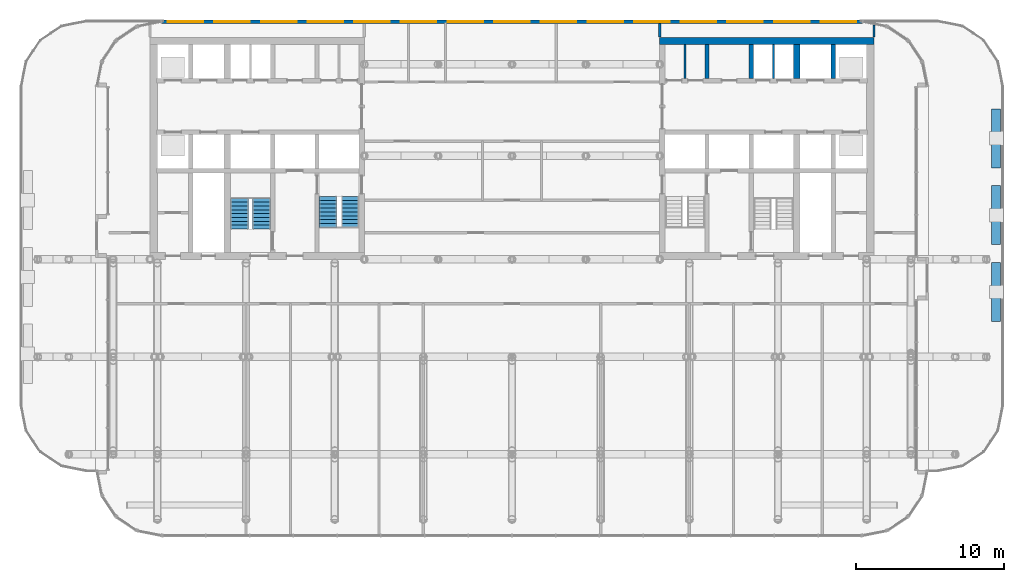
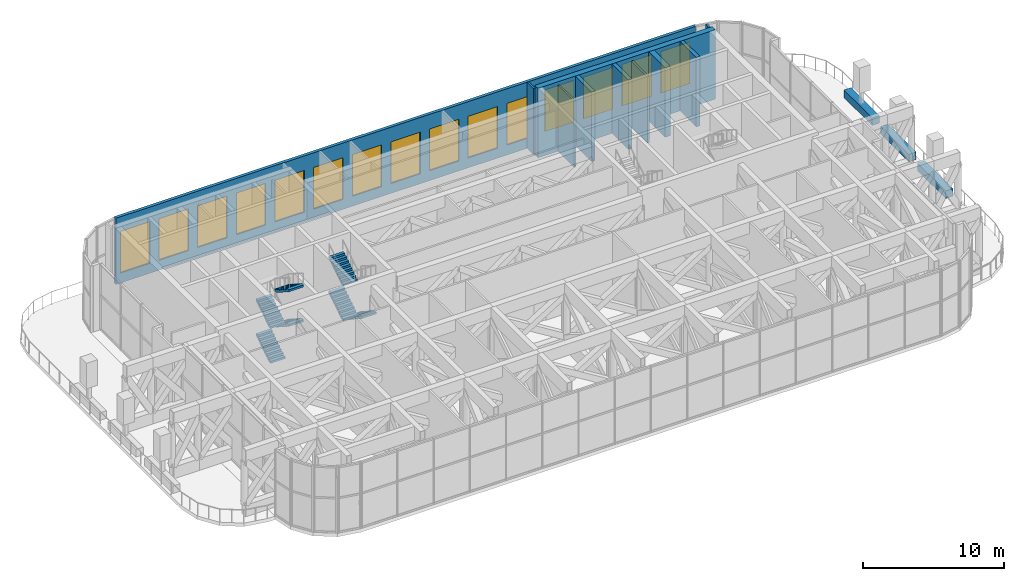
# One storey, part 20 of 25: 15 windows, 13 walls, 7 stair flights, 15 openings, 2 elements without a shape of their own.
"""IFC4 building model written with IfcOpenShell, lengths in metres."""

from ifc_helpers import new_model, si_unit, direction, frame, frame_2d, origin, place, context, subcontext, project, spatial, polyline, rectangle, outline, extrude, material, layer, layer_set, type_object, element, fill, aggregate, save


model = new_model("IFC4")

# Units and contexts
model_context = context("Model", 3, precision=1e-05, world=origin(), true_north=direction((0.0, 1.0)))
body_context = subcontext(model_context, "Body", "Model", "MODEL_VIEW")
ifc_project = project(units=[si_unit("LENGTHUNIT", "METRE"), si_unit("AREAUNIT", "SQUARE_METRE"), si_unit("VOLUMEUNIT", "CUBIC_METRE"), si_unit("PLANEANGLEUNIT", "RADIAN"), si_unit("MASSUNIT", "GRAM", prefix="KILO")], contexts=[model_context])

# Site, building, storey
site_placement = place(None, origin())
site = spatial("IfcSite", under=ifc_project, at=site_placement, CompositionType="ELEMENT")
building_placement = place(site_placement, origin())
building = spatial("IfcBuilding", under=site, at=building_placement, Name="Torana Hotel and Residences", CompositionType="ELEMENT")
storey_placement = place(building_placement, frame((0.0, 0.0, 106.800048828125)))
storey = spatial("IfcBuildingStorey", under=building, at=storey_placement, Name="L27", CompositionType="ELEMENT", Elevation=106.800048828125)

# Walls
ifc_material_1 = material(Name="Concrete C70/85", Category="concrete")
ifc_layer_1 = layer(ifc_material_1, 0.300048828125)
ifc_layer_set_1 = layer_set([ifc_layer_1], Name="CORE WALL 300 C70/85")
wall_type_1 = type_object("IfcWallType", Name="CORE WALL 300 C70/85", PredefinedType="SHEAR", material=ifc_layer_set_1)
for number, where, z_axis, x_axis, name in (
    (1, (13.199951171875, -2.75, 0.0), (0.0, 0.0, 1.0), (0.0, 1.0, 0.0), "Core wall E x3.05-N"),
    (2, (16.199951171875, -2.75, 0.0), (0.0, 0.0, 1.0), (0.0, 1.0, 0.0), "Core wall E x6.05-N"),
    (3, (21.75, -2.75, 0.0), (0.0, 0.0, 1.0), (0.0, 1.0, 0.0), "Core wall E mm-N"),
):
    element("IfcWall", number, at=place(storey_placement, frame(where, z_axis=z_axis, x_axis=x_axis)), inside=storey, type_object=wall_type_1, Name=name, PredefinedType="SHEAR", context=body_context, shape_type="SweptSolid", body=[
        extrude(rectangle(XDim=2.300048828125, YDim=0.300048828125, at=frame_2d((1.14990234375, 0.0))), origin(), (0.0, 0.0, 1.0), 6.0),
    ])
ifc_material_2 = material(Name="Concrete C70/85", Category="concrete")
ifc_layer_2 = layer(ifc_material_2, 0.449951171875)
ifc_layer_set_2 = layer_set([ifc_layer_2], Name="CORE WALL 450 C70/85")
wall_type_2 = type_object("IfcWallType", Name="CORE WALL 450 C70/85", PredefinedType="SHEAR", material=ifc_layer_set_2)
wall_1_placement = place(storey_placement, frame((10.0, -0.22509765625, 0.0), z_axis=(0.0, 0.0, 1.0), x_axis=(1.0, 0.0, 0.0)))
element("IfcWall", 4, at=wall_1_placement, inside=storey, type_object=wall_type_2, Name="Core wall E rear", PredefinedType="SHEAR", context=body_context, shape_type="SweptSolid", body=[
    extrude(rectangle(XDim=14.5, YDim=0.449951171875, at=frame_2d((7.25, 0.0))), origin(), (0.0, 0.0, 1.0), 6.0),
])
wall_2_placement = place(storey_placement, frame((19.27490234375, -2.75, 0.0), z_axis=(0.0, 0.0, 1.0), x_axis=(0.0, 1.0, 0.0)))
element("IfcWall", 5, at=wall_2_placement, inside=storey, type_object=wall_type_2, Name="Core wall E hm-N", PredefinedType="SHEAR", context=body_context, shape_type="SweptSolid", body=[
    extrude(rectangle(XDim=2.300048828125, YDim=0.449951171875, at=frame_2d((1.14990234375, 0.0))), origin(), (0.0, 0.0, 1.0), 6.0),
])

# Wall, openings, windows
ifc_material_3 = material(Name="Aluminium louvre wall", Category="aluminium")
ifc_layer_3 = layer(ifc_material_3, 0.25)
ifc_layer_set_3 = layer_set([ifc_layer_3], Name="EW3 LOUVRE WALL 250")
wall_type_3 = type_object("IfcWallType", Name="EW3 LOUVRE WALL 250", PredefinedType="SOLIDWALL", material=ifc_layer_set_3)
wall_3_placement = place(storey_placement, frame((23.67529296875, 1.074951171875, 0.0), z_axis=(0.0, 0.0, 1.0), x_axis=(-1.0, 0.0, 0.0)))
wall_3 = element("IfcWall", 6, at=wall_3_placement, inside=storey, type_object=wall_type_3, Name="Louvre wall L27 e0.4", PredefinedType="SOLIDWALL", context=body_context, shape_type="SweptSolid", body=[
    extrude(rectangle(XDim=47.3505859375, YDim=0.25, at=frame_2d((23.67529296875, 0.0))), origin(), (0.0, 0.0, 1.0), 5.719970703125),
])
opening_1_placement = place(wall_3_placement, frame((0.37841796875, 0.0, 0.85791015625)))
opening_1 = element("IfcOpeningElement", 7, at=opening_1_placement, cuts=wall_3, Name="Opening LV2", PredefinedType="OPENING", context=body_context, shape_type="SweptSolid", body=[
    extrude(rectangle(XDim=2.39990234375, YDim=3.60009765625, at=frame_2d((1.199951171875, 1.800048828125))), frame((0.0, 0.135009765625, 0.0), z_axis=(0.0, -1.0, 0.0), x_axis=(1.0, 0.0, 0.0)), (0.0, 0.0, 1.0), 0.27001953125),
])
opening_2_placement = place(wall_3_placement, frame((3.53515625, 0.0, 0.85791015625)))
opening_2 = element("IfcOpeningElement", 8, at=opening_2_placement, cuts=wall_3, Name="Opening LV2", PredefinedType="OPENING", context=body_context, shape_type="SweptSolid", body=[
    extrude(rectangle(XDim=2.39990234375, YDim=3.60009765625, at=frame_2d((1.199951171875, 1.800048828125))), frame((0.0, 0.135009765625, 0.0), z_axis=(0.0, -1.0, 0.0), x_axis=(1.0, 0.0, 0.0)), (0.0, 0.0, 1.0), 0.27001953125),
])
opening_3_placement = place(wall_3_placement, frame((6.69189453125, 0.0, 0.85791015625)))
opening_3 = element("IfcOpeningElement", 9, at=opening_3_placement, cuts=wall_3, Name="Opening LV2", PredefinedType="OPENING", context=body_context, shape_type="SweptSolid", body=[
    extrude(rectangle(XDim=2.39990234375, YDim=3.60009765625, at=frame_2d((1.199951171875, 1.800048828125))), frame((0.0, 0.135009765625, 0.0), z_axis=(0.0, -1.0, 0.0), x_axis=(1.0, 0.0, 0.0)), (0.0, 0.0, 1.0), 0.27001953125),
])
opening_4_placement = place(wall_3_placement, frame((9.848388671875, 0.0, 0.85791015625)))
opening_4 = element("IfcOpeningElement", 10, at=opening_4_placement, cuts=wall_3, Name="Opening LV2", PredefinedType="OPENING", context=body_context, shape_type="SweptSolid", body=[
    extrude(rectangle(XDim=2.39990234375, YDim=3.60009765625, at=frame_2d((1.199951171875, 1.800048828125))), frame((0.0, 0.135009765625, 0.0), z_axis=(0.0, -1.0, 0.0), x_axis=(1.0, 0.0, 0.0)), (0.0, 0.0, 1.0), 0.27001953125),
])
opening_5_placement = place(wall_3_placement, frame((13.005126953125, 0.0, 0.85791015625)))
opening_5 = element("IfcOpeningElement", 11, at=opening_5_placement, cuts=wall_3, Name="Opening LV2", PredefinedType="OPENING", context=body_context, shape_type="SweptSolid", body=[
    extrude(rectangle(XDim=2.39990234375, YDim=3.60009765625, at=frame_2d((1.199951171875, 1.800048828125))), frame((0.0, 0.135009765625, 0.0), z_axis=(0.0, -1.0, 0.0), x_axis=(1.0, 0.0, 0.0)), (0.0, 0.0, 1.0), 0.27001953125),
])
opening_6_placement = place(wall_3_placement, frame((16.161865234375, 0.0, 0.85791015625)))
opening_6 = element("IfcOpeningElement", 12, at=opening_6_placement, cuts=wall_3, Name="Opening LV2", PredefinedType="OPENING", context=body_context, shape_type="SweptSolid", body=[
    extrude(rectangle(XDim=2.39990234375, YDim=3.60009765625, at=frame_2d((1.199951171875, 1.800048828125))), frame((0.0, 0.135009765625, 0.0), z_axis=(0.0, -1.0, 0.0), x_axis=(1.0, 0.0, 0.0)), (0.0, 0.0, 1.0), 0.27001953125),
])
opening_7_placement = place(wall_3_placement, frame((19.318603515625, 0.0, 0.85791015625)))
opening_7 = element("IfcOpeningElement", 13, at=opening_7_placement, cuts=wall_3, Name="Opening LV2", PredefinedType="OPENING", context=body_context, shape_type="SweptSolid", body=[
    extrude(rectangle(XDim=2.39990234375, YDim=3.60009765625, at=frame_2d((1.199951171875, 1.800048828125))), frame((0.0, 0.135009765625, 0.0), z_axis=(0.0, -1.0, 0.0), x_axis=(1.0, 0.0, 0.0)), (0.0, 0.0, 1.0), 0.27001953125),
])
opening_8_placement = place(wall_3_placement, frame((22.475341796875, 0.0, 0.85791015625)))
opening_8 = element("IfcOpeningElement", 14, at=opening_8_placement, cuts=wall_3, Name="Opening LV2", PredefinedType="OPENING", context=body_context, shape_type="SweptSolid", body=[
    extrude(rectangle(XDim=2.39990234375, YDim=3.60009765625, at=frame_2d((1.199951171875, 1.800048828125))), frame((0.0, 0.135009765625, 0.0), z_axis=(0.0, -1.0, 0.0), x_axis=(1.0, 0.0, 0.0)), (0.0, 0.0, 1.0), 0.27001953125),
])
opening_9_placement = place(wall_3_placement, frame((25.632080078125, 0.0, 0.85791015625)))
opening_9 = element("IfcOpeningElement", 15, at=opening_9_placement, cuts=wall_3, Name="Opening LV2", PredefinedType="OPENING", context=body_context, shape_type="SweptSolid", body=[
    extrude(rectangle(XDim=2.39990234375, YDim=3.60009765625, at=frame_2d((1.199951171875, 1.800048828125))), frame((0.0, 0.135009765625, 0.0), z_axis=(0.0, -1.0, 0.0), x_axis=(1.0, 0.0, 0.0)), (0.0, 0.0, 1.0), 0.27001953125),
])
opening_10_placement = place(wall_3_placement, frame((28.788818359375, 0.0, 0.85791015625)))
opening_10 = element("IfcOpeningElement", 16, at=opening_10_placement, cuts=wall_3, Name="Opening LV2", PredefinedType="OPENING", context=body_context, shape_type="SweptSolid", body=[
    extrude(rectangle(XDim=2.39990234375, YDim=3.60009765625, at=frame_2d((1.199951171875, 1.800048828125))), frame((0.0, 0.135009765625, 0.0), z_axis=(0.0, -1.0, 0.0), x_axis=(1.0, 0.0, 0.0)), (0.0, 0.0, 1.0), 0.27001953125),
])
opening_11_placement = place(wall_3_placement, frame((31.945556640625, 0.0, 0.85791015625)))
opening_11 = element("IfcOpeningElement", 17, at=opening_11_placement, cuts=wall_3, Name="Opening LV2", PredefinedType="OPENING", context=body_context, shape_type="SweptSolid", body=[
    extrude(rectangle(XDim=2.39990234375, YDim=3.60009765625, at=frame_2d((1.199951171875, 1.800048828125))), frame((0.0, 0.135009765625, 0.0), z_axis=(0.0, -1.0, 0.0), x_axis=(1.0, 0.0, 0.0)), (0.0, 0.0, 1.0), 0.27001953125),
])
opening_12_placement = place(wall_3_placement, frame((35.102294921875, 0.0, 0.85791015625)))
opening_12 = element("IfcOpeningElement", 18, at=opening_12_placement, cuts=wall_3, Name="Opening LV2", PredefinedType="OPENING", context=body_context, shape_type="SweptSolid", body=[
    extrude(rectangle(XDim=2.39990234375, YDim=3.60009765625, at=frame_2d((1.199951171875, 1.800048828125))), frame((0.0, 0.135009765625, 0.0), z_axis=(0.0, -1.0, 0.0), x_axis=(1.0, 0.0, 0.0)), (0.0, 0.0, 1.0), 0.27001953125),
])
opening_13_placement = place(wall_3_placement, frame((38.259033203125, 0.0, 0.85791015625)))
opening_13 = element("IfcOpeningElement", 19, at=opening_13_placement, cuts=wall_3, Name="Opening LV2", PredefinedType="OPENING", context=body_context, shape_type="SweptSolid", body=[
    extrude(rectangle(XDim=2.39990234375, YDim=3.60009765625, at=frame_2d((1.199951171875, 1.800048828125))), frame((0.0, 0.135009765625, 0.0), z_axis=(0.0, -1.0, 0.0), x_axis=(1.0, 0.0, 0.0)), (0.0, 0.0, 1.0), 0.27001953125),
])
opening_14_placement = place(wall_3_placement, frame((41.415771484375, 0.0, 0.85791015625)))
opening_14 = element("IfcOpeningElement", 20, at=opening_14_placement, cuts=wall_3, Name="Opening LV2", PredefinedType="OPENING", context=body_context, shape_type="SweptSolid", body=[
    extrude(rectangle(XDim=2.39990234375, YDim=3.60009765625, at=frame_2d((1.199951171875, 1.800048828125))), frame((0.0, 0.135009765625, 0.0), z_axis=(0.0, -1.0, 0.0), x_axis=(1.0, 0.0, 0.0)), (0.0, 0.0, 1.0), 0.27001953125),
])
opening_15_placement = place(wall_3_placement, frame((44.572509765625, 0.0, 0.85791015625)))
opening_15 = element("IfcOpeningElement", 21, at=opening_15_placement, cuts=wall_3, Name="Opening LV2", PredefinedType="OPENING", context=body_context, shape_type="SweptSolid", body=[
    extrude(rectangle(XDim=2.39990234375, YDim=3.60009765625, at=frame_2d((1.199951171875, 1.800048828125))), frame((0.0, 0.135009765625, 0.0), z_axis=(0.0, -1.0, 0.0), x_axis=(1.0, 0.0, 0.0)), (0.0, 0.0, 1.0), 0.27001953125),
])
ifc_material_4 = material(Name="Aluminium louvre blades", Category="aluminium")
window_type = type_object("IfcWindowType", Name="LV2 LOUVRE 2400x3600", PartitioningType="SINGLE_PANEL", PredefinedType="USERDEFINED", material=ifc_material_4)
window_1_placement = place(opening_1_placement, origin())
window_1 = element("IfcWindow", 22, at=window_1_placement, inside=storey, type_object=window_type, Name="Louvre L27", ObjectType="LOUVRE", OverallHeight=3.60009765625, OverallWidth=2.39990234375, PartitioningType="SINGLE_PANEL", PredefinedType="USERDEFINED", context=body_context, shape_type="SweptSolid", body=[
    extrude(rectangle(XDim=2.39990234375, YDim=3.60009765625, at=frame_2d((1.199951171875, 1.800048828125))), frame((0.0, 0.030029296875, 0.0), z_axis=(0.0, -1.0, 0.0), x_axis=(1.0, 0.0, 0.0)), (0.0, 0.0, 1.0), 0.06005859375),
])
fill(opening_1, window_1)
window_2_placement = place(opening_2_placement, origin())
window_2 = element("IfcWindow", 23, at=window_2_placement, inside=storey, type_object=window_type, Name="Louvre L27", ObjectType="LOUVRE", OverallHeight=3.60009765625, OverallWidth=2.39990234375, PartitioningType="SINGLE_PANEL", PredefinedType="USERDEFINED", context=body_context, shape_type="SweptSolid", body=[
    extrude(rectangle(XDim=2.39990234375, YDim=3.60009765625, at=frame_2d((1.199951171875, 1.800048828125))), frame((0.0, 0.030029296875, 0.0), z_axis=(0.0, -1.0, 0.0), x_axis=(1.0, 0.0, 0.0)), (0.0, 0.0, 1.0), 0.06005859375),
])
fill(opening_2, window_2)
window_3_placement = place(opening_3_placement, origin())
window_3 = element("IfcWindow", 24, at=window_3_placement, inside=storey, type_object=window_type, Name="Louvre L27", ObjectType="LOUVRE", OverallHeight=3.60009765625, OverallWidth=2.39990234375, PartitioningType="SINGLE_PANEL", PredefinedType="USERDEFINED", context=body_context, shape_type="SweptSolid", body=[
    extrude(rectangle(XDim=2.39990234375, YDim=3.60009765625, at=frame_2d((1.199951171875, 1.800048828125))), frame((0.0, 0.030029296875, 0.0), z_axis=(0.0, -1.0, 0.0), x_axis=(1.0, 0.0, 0.0)), (0.0, 0.0, 1.0), 0.06005859375),
])
fill(opening_3, window_3)
window_4_placement = place(opening_4_placement, origin())
window_4 = element("IfcWindow", 25, at=window_4_placement, inside=storey, type_object=window_type, Name="Louvre L27", ObjectType="LOUVRE", OverallHeight=3.60009765625, OverallWidth=2.39990234375, PartitioningType="SINGLE_PANEL", PredefinedType="USERDEFINED", context=body_context, shape_type="SweptSolid", body=[
    extrude(rectangle(XDim=2.39990234375, YDim=3.60009765625, at=frame_2d((1.199951171875, 1.800048828125))), frame((0.0, 0.030029296875, 0.0), z_axis=(0.0, -1.0, 0.0), x_axis=(1.0, 0.0, 0.0)), (0.0, 0.0, 1.0), 0.06005859375),
])
fill(opening_4, window_4)
window_5_placement = place(opening_5_placement, origin())
window_5 = element("IfcWindow", 26, at=window_5_placement, inside=storey, type_object=window_type, Name="Louvre L27", ObjectType="LOUVRE", OverallHeight=3.60009765625, OverallWidth=2.39990234375, PartitioningType="SINGLE_PANEL", PredefinedType="USERDEFINED", context=body_context, shape_type="SweptSolid", body=[
    extrude(rectangle(XDim=2.39990234375, YDim=3.60009765625, at=frame_2d((1.199951171875, 1.800048828125))), frame((0.0, 0.030029296875, 0.0), z_axis=(0.0, -1.0, 0.0), x_axis=(1.0, 0.0, 0.0)), (0.0, 0.0, 1.0), 0.06005859375),
])
fill(opening_5, window_5)
window_6_placement = place(opening_6_placement, origin())
window_6 = element("IfcWindow", 27, at=window_6_placement, inside=storey, type_object=window_type, Name="Louvre L27", ObjectType="LOUVRE", OverallHeight=3.60009765625, OverallWidth=2.39990234375, PartitioningType="SINGLE_PANEL", PredefinedType="USERDEFINED", context=body_context, shape_type="SweptSolid", body=[
    extrude(rectangle(XDim=2.39990234375, YDim=3.60009765625, at=frame_2d((1.199951171875, 1.800048828125))), frame((0.0, 0.030029296875, 0.0), z_axis=(0.0, -1.0, 0.0), x_axis=(1.0, 0.0, 0.0)), (0.0, 0.0, 1.0), 0.06005859375),
])
fill(opening_6, window_6)
window_7_placement = place(opening_7_placement, origin())
window_7 = element("IfcWindow", 28, at=window_7_placement, inside=storey, type_object=window_type, Name="Louvre L27", ObjectType="LOUVRE", OverallHeight=3.60009765625, OverallWidth=2.39990234375, PartitioningType="SINGLE_PANEL", PredefinedType="USERDEFINED", context=body_context, shape_type="SweptSolid", body=[
    extrude(rectangle(XDim=2.39990234375, YDim=3.60009765625, at=frame_2d((1.199951171875, 1.800048828125))), frame((0.0, 0.030029296875, 0.0), z_axis=(0.0, -1.0, 0.0), x_axis=(1.0, 0.0, 0.0)), (0.0, 0.0, 1.0), 0.06005859375),
])
fill(opening_7, window_7)
window_8_placement = place(opening_8_placement, origin())
window_8 = element("IfcWindow", 29, at=window_8_placement, inside=storey, type_object=window_type, Name="Louvre L27", ObjectType="LOUVRE", OverallHeight=3.60009765625, OverallWidth=2.39990234375, PartitioningType="SINGLE_PANEL", PredefinedType="USERDEFINED", context=body_context, shape_type="SweptSolid", body=[
    extrude(rectangle(XDim=2.39990234375, YDim=3.60009765625, at=frame_2d((1.199951171875, 1.800048828125))), frame((0.0, 0.030029296875, 0.0), z_axis=(0.0, -1.0, 0.0), x_axis=(1.0, 0.0, 0.0)), (0.0, 0.0, 1.0), 0.06005859375),
])
fill(opening_8, window_8)
window_9_placement = place(opening_9_placement, origin())
window_9 = element("IfcWindow", 30, at=window_9_placement, inside=storey, type_object=window_type, Name="Louvre L27", ObjectType="LOUVRE", OverallHeight=3.60009765625, OverallWidth=2.39990234375, PartitioningType="SINGLE_PANEL", PredefinedType="USERDEFINED", context=body_context, shape_type="SweptSolid", body=[
    extrude(rectangle(XDim=2.39990234375, YDim=3.60009765625, at=frame_2d((1.199951171875, 1.800048828125))), frame((0.0, 0.030029296875, 0.0), z_axis=(0.0, -1.0, 0.0), x_axis=(1.0, 0.0, 0.0)), (0.0, 0.0, 1.0), 0.06005859375),
])
fill(opening_9, window_9)
window_10_placement = place(opening_10_placement, origin())
window_10 = element("IfcWindow", 31, at=window_10_placement, inside=storey, type_object=window_type, Name="Louvre L27", ObjectType="LOUVRE", OverallHeight=3.60009765625, OverallWidth=2.39990234375, PartitioningType="SINGLE_PANEL", PredefinedType="USERDEFINED", context=body_context, shape_type="SweptSolid", body=[
    extrude(rectangle(XDim=2.39990234375, YDim=3.60009765625, at=frame_2d((1.199951171875, 1.800048828125))), frame((0.0, 0.030029296875, 0.0), z_axis=(0.0, -1.0, 0.0), x_axis=(1.0, 0.0, 0.0)), (0.0, 0.0, 1.0), 0.06005859375),
])
fill(opening_10, window_10)
window_11_placement = place(opening_11_placement, origin())
window_11 = element("IfcWindow", 32, at=window_11_placement, inside=storey, type_object=window_type, Name="Louvre L27", ObjectType="LOUVRE", OverallHeight=3.60009765625, OverallWidth=2.39990234375, PartitioningType="SINGLE_PANEL", PredefinedType="USERDEFINED", context=body_context, shape_type="SweptSolid", body=[
    extrude(rectangle(XDim=2.39990234375, YDim=3.60009765625, at=frame_2d((1.199951171875, 1.800048828125))), frame((0.0, 0.030029296875, 0.0), z_axis=(0.0, -1.0, 0.0), x_axis=(1.0, 0.0, 0.0)), (0.0, 0.0, 1.0), 0.06005859375),
])
fill(opening_11, window_11)
window_12_placement = place(opening_12_placement, origin())
window_12 = element("IfcWindow", 33, at=window_12_placement, inside=storey, type_object=window_type, Name="Louvre L27", ObjectType="LOUVRE", OverallHeight=3.60009765625, OverallWidth=2.39990234375, PartitioningType="SINGLE_PANEL", PredefinedType="USERDEFINED", context=body_context, shape_type="SweptSolid", body=[
    extrude(rectangle(XDim=2.39990234375, YDim=3.60009765625, at=frame_2d((1.199951171875, 1.800048828125))), frame((0.0, 0.030029296875, 0.0), z_axis=(0.0, -1.0, 0.0), x_axis=(1.0, 0.0, 0.0)), (0.0, 0.0, 1.0), 0.06005859375),
])
fill(opening_12, window_12)
window_13_placement = place(opening_13_placement, origin())
window_13 = element("IfcWindow", 34, at=window_13_placement, inside=storey, type_object=window_type, Name="Louvre L27", ObjectType="LOUVRE", OverallHeight=3.60009765625, OverallWidth=2.39990234375, PartitioningType="SINGLE_PANEL", PredefinedType="USERDEFINED", context=body_context, shape_type="SweptSolid", body=[
    extrude(rectangle(XDim=2.39990234375, YDim=3.60009765625, at=frame_2d((1.199951171875, 1.800048828125))), frame((0.0, 0.030029296875, 0.0), z_axis=(0.0, -1.0, 0.0), x_axis=(1.0, 0.0, 0.0)), (0.0, 0.0, 1.0), 0.06005859375),
])
fill(opening_13, window_13)
window_14_placement = place(opening_14_placement, origin())
window_14 = element("IfcWindow", 35, at=window_14_placement, inside=storey, type_object=window_type, Name="Louvre L27", ObjectType="LOUVRE", OverallHeight=3.60009765625, OverallWidth=2.39990234375, PartitioningType="SINGLE_PANEL", PredefinedType="USERDEFINED", context=body_context, shape_type="SweptSolid", body=[
    extrude(rectangle(XDim=2.39990234375, YDim=3.60009765625, at=frame_2d((1.199951171875, 1.800048828125))), frame((0.0, 0.030029296875, 0.0), z_axis=(0.0, -1.0, 0.0), x_axis=(1.0, 0.0, 0.0)), (0.0, 0.0, 1.0), 0.06005859375),
])
fill(opening_14, window_14)
window_15_placement = place(opening_15_placement, origin())
window_15 = element("IfcWindow", 36, at=window_15_placement, inside=storey, type_object=window_type, Name="Louvre L27", ObjectType="LOUVRE", OverallHeight=3.60009765625, OverallWidth=2.39990234375, PartitioningType="SINGLE_PANEL", PredefinedType="USERDEFINED", context=body_context, shape_type="SweptSolid", body=[
    extrude(rectangle(XDim=2.39990234375, YDim=3.60009765625, at=frame_2d((1.199951171875, 1.800048828125))), frame((0.0, 0.030029296875, 0.0), z_axis=(0.0, -1.0, 0.0), x_axis=(1.0, 0.0, 0.0)), (0.0, 0.0, 1.0), 0.06005859375),
])
fill(opening_15, window_15)

# Walls
ifc_material_5 = material(Name="Gypsum plaster")
ifc_layer_4 = layer(ifc_material_5, 0.014892578125, Name="Plaster", Category="finish")
ifc_material_6 = material(Name="Concrete blockwork", Category="masonry")
ifc_layer_5 = layer(ifc_material_6, 0.1201171875, Name="Blockwork", Category="structure")
ifc_layer_6 = layer(ifc_material_5, 0.014892578125, Name="Plaster", Category="finish")
ifc_layer_set_4 = layer_set([ifc_layer_4, ifc_layer_5, ifc_layer_6], Name="FIRE PARTITION 150 BLOCKWORK")
wall_type_4 = type_object("IfcWallType", Name="FIRE PARTITION 150 BLOCKWORK", PredefinedType="PARTITIONING", material=ifc_layer_set_4)
for number, where, z_axis, x_axis, name in (
    (37, (17.699951171875, -2.75, 0.0), (0.0, 0.0, 1.0), (0.0, 1.0, 0.0), "Core partition L27"),
    (38, (11.699951171875, -2.75, 0.0), (0.0, 0.0, 1.0), (0.0, 1.0, 0.0), "Core partition L27"),
):
    element("IfcWall", number, at=place(storey_placement, frame(where, z_axis=z_axis, x_axis=x_axis)), inside=storey, type_object=wall_type_4, Name=name, PredefinedType="PARTITIONING", context=body_context, shape_type="SweptSolid", body=[
        extrude(rectangle(XDim=2.300048828125, YDim=0.14990234375, at=frame_2d((1.14990234375, 0.0))), origin(), (0.0, 0.0, 1.0), 5.699951171875),
    ])
ifc_material_7 = material(Name="Gypsum plasterboard")
ifc_layer_7 = layer(ifc_material_7, 0.012451171875, Name="Plasterboard", Category="finish")
ifc_layer_8 = layer(ifc_material_7, 0.012451171875, Name="Plasterboard", Category="finish")
ifc_material_8 = material(Name="Steel S280GD", Category="steel")
ifc_layer_9 = layer(ifc_material_8, 0.10009765625, Name="Steel studs with mineral wool", Category="insulation")
ifc_layer_10 = layer(ifc_material_7, 0.012451171875, Name="Plasterboard", Category="finish")
ifc_layer_11 = layer(ifc_material_7, 0.012451171875, Name="Plasterboard", Category="finish")
ifc_layer_set_5 = layer_set([ifc_layer_7, ifc_layer_8, ifc_layer_9, ifc_layer_10, ifc_layer_11], Name="PARTITION 150 PLASTERBOARD")
wall_type_5 = type_object("IfcWallType", Name="PARTITION 150 PLASTERBOARD", PredefinedType="PARTITIONING", material=ifc_layer_set_5)
wall_4_placement = place(storey_placement, frame((24.5, 0.050048828125, 0.0), z_axis=(0.0, 0.0, 1.0), x_axis=(0.0, 1.0, 0.0)))
element("IfcWall", 39, at=wall_4_placement, inside=storey, type_object=wall_type_5, Name="Partition L27", PredefinedType="PARTITIONING", context=body_context, shape_type="SweptSolid", body=[
    extrude(rectangle(XDim=0.807373046875, YDim=0.14990234375, at=frame_2d((0.40380859375, 0.0))), origin(), (0.0, 0.0, 1.0), 5.699951171875),
])
wall_5_placement = place(storey_placement, frame((10.0, 0.050048828125, 0.0), z_axis=(0.0, 0.0, 1.0), x_axis=(0.0, 1.0, 0.0)))
element("IfcWall", 40, at=wall_5_placement, inside=storey, type_object=wall_type_5, Name="Partition L27", PredefinedType="PARTITIONING", context=body_context, shape_type="SweptSolid", body=[
    extrude(rectangle(XDim=0.909912109375, YDim=0.14990234375, at=frame_2d((0.455078125, 0.0))), origin(), (0.0, 0.0, 1.0), 5.699951171875),
])
ifc_material_9 = material(Name="Concrete C40/50 precast", Category="concrete")
ifc_layer_12 = layer(ifc_material_9, 0.10009765625, Name="Planter shell", Category="structure")
ifc_material_10 = material(Name="Root resistant membrane")
ifc_layer_13 = layer(ifc_material_10, 0.00390625, Name="Waterproofing membrane", Category="membrane")
ifc_material_11 = material(Name="Drainage board with filter fleece")
ifc_layer_14 = layer(ifc_material_11, 0.02001953125, Name="Drainage board", Category="drainage")
ifc_material_12 = material(Name="Growing medium")
ifc_layer_15 = layer(ifc_material_12, 0.47607421875, Name="Planting substrate", Category="soil")
ifc_layer_set_6 = layer_set([ifc_layer_12, ifc_layer_13, ifc_layer_14, ifc_layer_15], Name="PL1 BALCONY PLANTER 600")
wall_type_6 = type_object("IfcWallType", Name="PL1 BALCONY PLANTER 600", PredefinedType="USERDEFINED", material=ifc_layer_set_6)
for number, where, z_axis, x_axis, name in (
    (41, (32.77001953125, -4.807861328125, 0.0), (0.0, 0.0, 1.0), (0.0, -1.0, 0.0), "Planter L27 1.1"),
    (42, (32.77001953125, -10.0078125, 0.0), (0.0, 0.0, 1.0), (0.0, -1.0, 0.0), "Planter L27 1.2"),
    (43, (32.77001953125, -15.2080078125, 0.0), (0.0, 0.0, 1.0), (0.0, -1.0, 0.0), "Planter L27 1.3"),
):
    element("IfcWall", number, at=place(storey_placement, frame(where, z_axis=z_axis, x_axis=x_axis)), inside=storey, type_object=wall_type_6, Name=name, ObjectType="PLANTER", PredefinedType="USERDEFINED", context=body_context, shape_type="SweptSolid", body=[
        extrude(rectangle(XDim=4.0, YDim=0.60009765625, at=frame_2d((2.0, 0.0))), origin(), (0.0, 0.0, 1.0), 0.64990234375),
    ])

# Stair, stair flights
ifc_material_13 = material(Name="Concrete C40/50 precast", Category="concrete")
stair_type_1 = type_object("IfcStairType", Name="STAIR ST1 HALF TURN 1200", PredefinedType="HALF_TURN_STAIR", material=ifc_material_13)
stair_1_placement = place(storey_placement, origin())
stair_1 = element("IfcStair", 44, at=stair_1_placement, inside=storey, type_object=stair_type_1, Name="Stair ST1 L27", PredefinedType="HALF_TURN_STAIR")
ifc_material_14 = material(Name="Concrete C40/50 precast", Category="concrete")
stair_flight_type = type_object("IfcStairFlightType", Name="STAIR FLIGHT 1200 PRECAST", PredefinedType="STRAIGHT", material=ifc_material_14)
stair_flight_1_placement = place(storey_placement, frame((-10.949951171875, -10.75, 0.0), z_axis=(0.0, 0.0, 1.0), x_axis=(0.0, -1.0, 0.0)))
stair_flight_1 = element("IfcStairFlight", 45, at=stair_flight_1_placement, type_object=stair_flight_type, Name="ST1 flight 1", NumberOfRisers=9, NumberOfTreads=8, PredefinedType="STRAIGHT", RiserHeight=0.166666667, TreadLength=0.26, context=body_context, shape_type="SweptSolid", body=[
    extrude(outline(polyline([(0.0, 0.0), (0.0, 0.166748046875), (0.260009765625, 0.166748046875), (0.260009765625, 0.333251953125), (0.52001953125, 0.333251953125), (0.52001953125, 0.5), (0.780029296875, 0.5), (0.780029296875, 0.666748046875), (1.0400390625, 0.666748046875), (1.0400390625, 0.833251953125), (1.300048828125, 0.833251953125), (1.300048828125, 1.0), (1.56005859375, 1.0), (1.56005859375, 1.166748046875), (1.820068359375, 1.166748046875), (1.820068359375, 1.333251953125), (2.080078125, 1.333251953125), (2.080078125, 1.5), (2.080078125, 1.1552734375), (0.27783203125, 0.0), (0.0, 0.0)])), frame((0.0, 0.60009765625, 0.0), z_axis=(0.0, -1.0, 0.0), x_axis=(1.0, 0.0, 0.0)), (0.0, 0.0, 1.0), 1.199951171875),
])
stair_flight_2_placement = place(storey_placement, frame((-12.449951171875, -12.830078125, 1.5), z_axis=(0.0, 0.0, 1.0), x_axis=(0.0, 1.0, 0.0)))
stair_flight_2 = element("IfcStairFlight", 46, at=stair_flight_2_placement, type_object=stair_flight_type, Name="ST1 flight 2", NumberOfRisers=9, NumberOfTreads=8, PredefinedType="STRAIGHT", RiserHeight=0.166666667, TreadLength=0.26, context=body_context, shape_type="SweptSolid", body=[
    extrude(outline(polyline([(0.0, 0.0), (0.0, 0.166748046875), (0.260009765625, 0.166748046875), (0.260009765625, 0.333251953125), (0.52001953125, 0.333251953125), (0.52001953125, 0.5), (0.780029296875, 0.5), (0.780029296875, 0.666748046875), (1.0400390625, 0.666748046875), (1.0400390625, 0.833251953125), (1.300048828125, 0.833251953125), (1.300048828125, 1.0), (1.56005859375, 1.0), (1.56005859375, 1.166748046875), (1.820068359375, 1.166748046875), (1.820068359375, 1.333251953125), (2.080078125, 1.333251953125), (2.080078125, 1.5), (2.080078125, 1.1552734375), (0.27783203125, 0.0), (0.0, 0.0)])), frame((0.0, 0.60009765625, 0.0), z_axis=(0.0, -1.0, 0.0), x_axis=(1.0, 0.0, 0.0)), (0.0, 0.0, 1.0), 1.199951171875),
])
stair_flight_3_placement = place(storey_placement, frame((-12.449951171875, -12.830078125, 4.5), z_axis=(0.0, 0.0, 1.0), x_axis=(0.0, 1.0, 0.0)))
stair_flight_3 = element("IfcStairFlight", 47, at=stair_flight_3_placement, type_object=stair_flight_type, Name="ST1 flight 4", NumberOfRisers=9, NumberOfTreads=8, PredefinedType="STRAIGHT", RiserHeight=0.166666667, TreadLength=0.26, context=body_context, shape_type="SweptSolid", body=[
    extrude(outline(polyline([(0.0, 0.0), (0.0, 0.166748046875), (0.260009765625, 0.166748046875), (0.260009765625, 0.333251953125), (0.52001953125, 0.333251953125), (0.52001953125, 0.5), (0.780029296875, 0.5), (0.780029296875, 0.666748046875), (1.0400390625, 0.666748046875), (1.0400390625, 0.833251953125), (1.300048828125, 0.833251953125), (1.300048828125, 1.0), (1.56005859375, 1.0), (1.56005859375, 1.166748046875), (1.820068359375, 1.166748046875), (1.820068359375, 1.333251953125), (2.080078125, 1.333251953125), (2.080078125, 1.5), (2.080078125, 1.1552734375), (0.27783203125, 0.0), (0.0, 0.0)])), frame((0.0, 0.60009765625, 0.0), z_axis=(0.0, -1.0, 0.0), x_axis=(1.0, 0.0, 0.0)), (0.0, 0.0, 1.0), 1.199951171875),
])
aggregate(stair_1, [stair_flight_1, stair_flight_2, stair_flight_3])

ifc_material_15 = material(Name="Concrete C40/50 precast", Category="concrete")
stair_type_2 = type_object("IfcStairType", Name="STAIR ST2 HALF TURN 1200", PredefinedType="HALF_TURN_STAIR", material=ifc_material_15)
stair_2_placement = place(storey_placement, origin())
stair_2 = element("IfcStair", 48, at=stair_2_placement, inside=storey, type_object=stair_type_2, Name="Stair ST2 L27", PredefinedType="HALF_TURN_STAIR")
stair_flight_4_placement = place(storey_placement, frame((-18.449951171875, -12.949951171875, 0.0), z_axis=(0.0, 0.0, 1.0), x_axis=(0.0, 1.0, 0.0)))
stair_flight_4 = element("IfcStairFlight", 49, at=stair_flight_4_placement, type_object=stair_flight_type, Name="ST2 flight 1", NumberOfRisers=9, NumberOfTreads=8, PredefinedType="STRAIGHT", RiserHeight=0.166666667, TreadLength=0.26, context=body_context, shape_type="SweptSolid", body=[
    extrude(outline(polyline([(0.0, 0.0), (0.0, 0.166748046875), (0.260009765625, 0.166748046875), (0.260009765625, 0.333251953125), (0.52001953125, 0.333251953125), (0.52001953125, 0.5), (0.780029296875, 0.5), (0.780029296875, 0.666748046875), (1.0400390625, 0.666748046875), (1.0400390625, 0.833251953125), (1.300048828125, 0.833251953125), (1.300048828125, 1.0), (1.56005859375, 1.0), (1.56005859375, 1.166748046875), (1.820068359375, 1.166748046875), (1.820068359375, 1.333251953125), (2.080078125, 1.333251953125), (2.080078125, 1.5), (2.080078125, 1.1552734375), (0.27783203125, 0.0), (0.0, 0.0)])), frame((0.0, 0.60009765625, 0.0), z_axis=(0.0, -1.0, 0.0), x_axis=(1.0, 0.0, 0.0)), (0.0, 0.0, 1.0), 1.199951171875),
])
stair_flight_5_placement = place(storey_placement, frame((-16.949951171875, -10.8701171875, 1.5), z_axis=(0.0, 0.0, 1.0), x_axis=(0.0, -1.0, 0.0)))
stair_flight_5 = element("IfcStairFlight", 50, at=stair_flight_5_placement, type_object=stair_flight_type, Name="ST2 flight 2", NumberOfRisers=9, NumberOfTreads=8, PredefinedType="STRAIGHT", RiserHeight=0.166666667, TreadLength=0.26, context=body_context, shape_type="SweptSolid", body=[
    extrude(outline(polyline([(0.0, 0.0), (0.0, 0.166748046875), (0.260009765625, 0.166748046875), (0.260009765625, 0.333251953125), (0.52001953125, 0.333251953125), (0.52001953125, 0.5), (0.780029296875, 0.5), (0.780029296875, 0.666748046875), (1.0400390625, 0.666748046875), (1.0400390625, 0.833251953125), (1.300048828125, 0.833251953125), (1.300048828125, 1.0), (1.56005859375, 1.0), (1.56005859375, 1.166748046875), (1.820068359375, 1.166748046875), (1.820068359375, 1.333251953125), (2.080078125, 1.333251953125), (2.080078125, 1.5), (2.080078125, 1.1552734375), (0.27783203125, 0.0), (0.0, 0.0)])), frame((0.0, 0.60009765625, 0.0), z_axis=(0.0, -1.0, 0.0), x_axis=(1.0, 0.0, 0.0)), (0.0, 0.0, 1.0), 1.199951171875),
])
stair_flight_6_placement = place(storey_placement, frame((-18.449951171875, -12.949951171875, 3.0), z_axis=(0.0, 0.0, 1.0), x_axis=(0.0, 1.0, 0.0)))
stair_flight_6 = element("IfcStairFlight", 51, at=stair_flight_6_placement, type_object=stair_flight_type, Name="ST2 flight 3", NumberOfRisers=9, NumberOfTreads=8, PredefinedType="STRAIGHT", RiserHeight=0.166666667, TreadLength=0.26, context=body_context, shape_type="SweptSolid", body=[
    extrude(outline(polyline([(0.0, 0.0), (0.0, 0.166748046875), (0.260009765625, 0.166748046875), (0.260009765625, 0.333251953125), (0.52001953125, 0.333251953125), (0.52001953125, 0.5), (0.780029296875, 0.5), (0.780029296875, 0.666748046875), (1.0400390625, 0.666748046875), (1.0400390625, 0.833251953125), (1.300048828125, 0.833251953125), (1.300048828125, 1.0), (1.56005859375, 1.0), (1.56005859375, 1.166748046875), (1.820068359375, 1.166748046875), (1.820068359375, 1.333251953125), (2.080078125, 1.333251953125), (2.080078125, 1.5), (2.080078125, 1.1552734375), (0.27783203125, 0.0), (0.0, 0.0)])), frame((0.0, 0.60009765625, 0.0), z_axis=(0.0, -1.0, 0.0), x_axis=(1.0, 0.0, 0.0)), (0.0, 0.0, 1.0), 1.199951171875),
])
stair_flight_7_placement = place(storey_placement, frame((-16.949951171875, -10.8701171875, 4.5), z_axis=(0.0, 0.0, 1.0), x_axis=(0.0, -1.0, 0.0)))
stair_flight_7 = element("IfcStairFlight", 52, at=stair_flight_7_placement, type_object=stair_flight_type, Name="ST2 flight 4", NumberOfRisers=9, NumberOfTreads=8, PredefinedType="STRAIGHT", RiserHeight=0.166666667, TreadLength=0.26, context=body_context, shape_type="SweptSolid", body=[
    extrude(outline(polyline([(0.0, 0.0), (0.0, 0.166748046875), (0.260009765625, 0.166748046875), (0.260009765625, 0.333251953125), (0.52001953125, 0.333251953125), (0.52001953125, 0.5), (0.780029296875, 0.5), (0.780029296875, 0.666748046875), (1.0400390625, 0.666748046875), (1.0400390625, 0.833251953125), (1.300048828125, 0.833251953125), (1.300048828125, 1.0), (1.56005859375, 1.0), (1.56005859375, 1.166748046875), (1.820068359375, 1.166748046875), (1.820068359375, 1.333251953125), (2.080078125, 1.333251953125), (2.080078125, 1.5), (2.080078125, 1.1552734375), (0.27783203125, 0.0), (0.0, 0.0)])), frame((0.0, 0.60009765625, 0.0), z_axis=(0.0, -1.0, 0.0), x_axis=(1.0, 0.0, 0.0)), (0.0, 0.0, 1.0), 1.199951171875),
])
aggregate(stair_2, [stair_flight_4, stair_flight_5, stair_flight_6, stair_flight_7])

save(model, "model.ifc")
